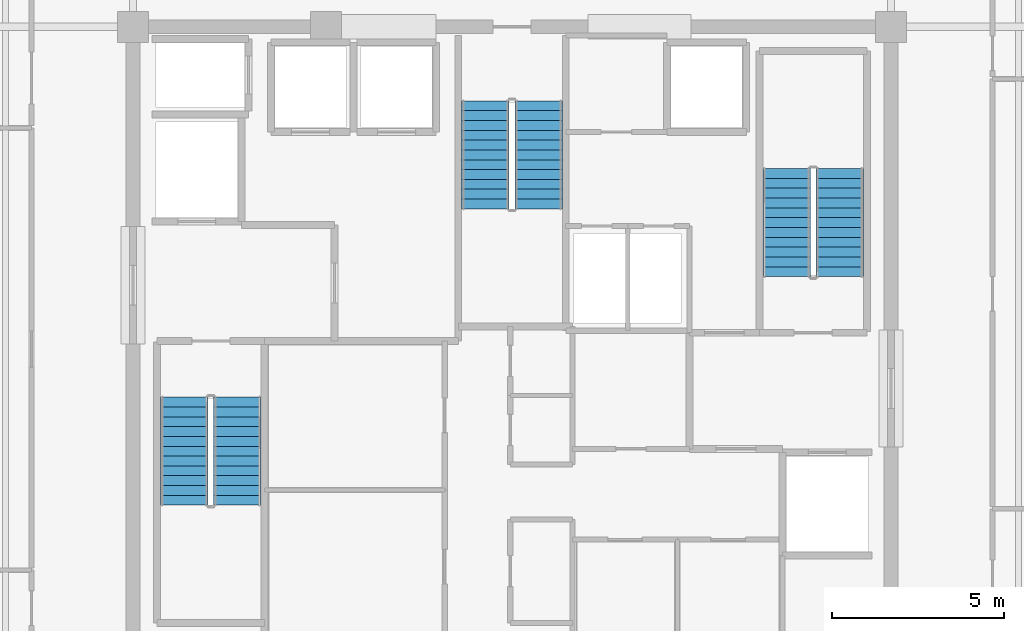
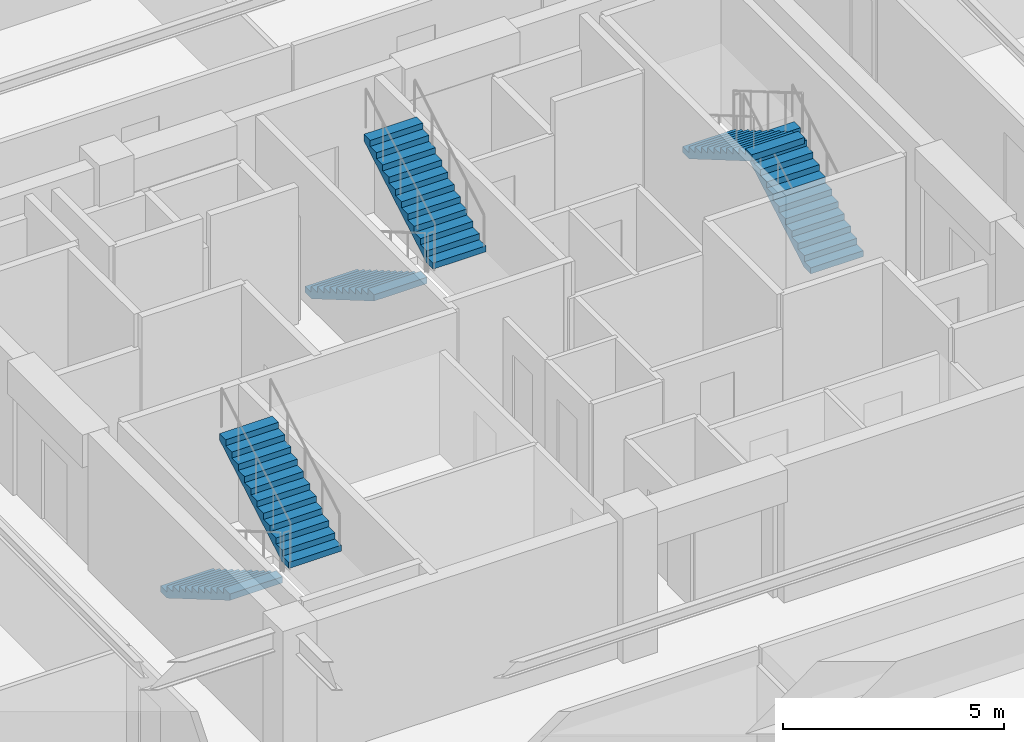
# One storey, part 17 of 21: 6 stair flights, 3 elements without a shape of their own.
"""IFC4 building model written with IfcOpenShell, lengths in metres."""

from ifc_helpers import new_model, si_unit, direction, frame, origin, place, context, subcontext, project, spatial, polyline, outline, extrude, material, type_object, element, aggregate, save


model = new_model("IFC4")

# Units and contexts
model_context = context("Model", 3, precision=1e-05, world=origin(), true_north=direction((0.0, 1.0)))
body_context = subcontext(model_context, "Body", "Model", "MODEL_VIEW")
ifc_project = project(units=[si_unit("LENGTHUNIT", "METRE"), si_unit("AREAUNIT", "SQUARE_METRE"), si_unit("VOLUMEUNIT", "CUBIC_METRE"), si_unit("PLANEANGLEUNIT", "RADIAN"), si_unit("MASSUNIT", "GRAM", prefix="KILO")], contexts=[model_context])

# Site, building, storey
site_placement = place(None, origin())
site = spatial("IfcSite", under=ifc_project, at=site_placement, CompositionType="ELEMENT")
building_placement = place(site_placement, origin())
building = spatial("IfcBuilding", under=site, at=building_placement, Name="Kovane Verandah Tower", CompositionType="ELEMENT")
storey_placement = place(building_placement, frame((0.0, 0.0, 314.800048828125)))
storey = spatial("IfcBuildingStorey", under=building, at=storey_placement, Name="L73", CompositionType="ELEMENT", Elevation=314.800048828125)

# Stair, stair flights
ifc_material = material(Name="Concrete C45/55", Category="concrete")
stair_type = type_object("IfcStairType", Name="ST-CORE-1380", PredefinedType="HALF_TURN_STAIR", material=ifc_material)
stair_1_placement = place(storey_placement, origin())
stair_1 = element("IfcStair", 1, at=stair_1_placement, inside=storey, type_object=stair_type, Name="L73 Exit Stair ST-01", PredefinedType="HALF_TURN_STAIR")
stair_flight_type = type_object("IfcStairFlightType", Name="STF-CORE-1380", PredefinedType="STRAIGHT", material=ifc_material)
stair_flight_1_placement = place(storey_placement, frame((30.489990234375, 25.75, 0.0), z_axis=(0.0, 0.0, 1.0), x_axis=(0.0, -1.0, 0.0)))
stair_flight_1 = element("IfcStairFlight", 2, at=stair_flight_1_placement, type_object=stair_flight_type, Name="ST-01 flight 1", NumberOfRisers=12, NumberOfTreads=11, PredefinedType="STRAIGHT", RiserHeight=0.166666667, TreadLength=0.285, context=body_context, shape_type="SweptSolid", body=[
    extrude(outline(polyline([(0.0, 0.0), (0.0, 0.166748046875), (0.284912109375, 0.166748046875), (0.284912109375, 0.333251953125), (0.570068359375, 0.333251953125), (0.570068359375, 0.5), (0.85498046875, 0.5), (0.85498046875, 0.666748046875), (1.139892578125, 0.666748046875), (1.139892578125, 0.833251953125), (1.425048828125, 0.833251953125), (1.425048828125, 1.0), (1.7099609375, 1.0), (1.7099609375, 1.166748046875), (1.9951171875, 1.166748046875), (1.9951171875, 1.333251953125), (2.280029296875, 1.333251953125), (2.280029296875, 1.5), (2.56494140625, 1.5), (2.56494140625, 1.666748046875), (2.85009765625, 1.666748046875), (2.85009765625, 1.833251953125), (3.135009765625, 1.833251953125), (3.135009765625, 2.0), (3.135009765625, 1.65966796875), (0.296875, 0.0), (0.0, 0.0)])), frame((0.0, 0.68994140625, 0.0), z_axis=(0.0, -1.0, 0.0), x_axis=(1.0, 0.0, 0.0)), (0.0, 0.0, 1.0), 1.3798828125),
])
stair_flight_2_placement = place(storey_placement, frame((32.030029296875, 22.614990234375, 2.0), z_axis=(0.0, 0.0, 1.0), x_axis=(0.0, 1.0, 0.0)))
stair_flight_2 = element("IfcStairFlight", 3, at=stair_flight_2_placement, type_object=stair_flight_type, Name="ST-01 flight 2", NumberOfRisers=12, NumberOfTreads=11, PredefinedType="STRAIGHT", RiserHeight=0.166666667, TreadLength=0.285, context=body_context, shape_type="SweptSolid", body=[
    extrude(outline(polyline([(0.0, 0.0), (0.0, 0.166748046875), (0.284912109375, 0.166748046875), (0.284912109375, 0.333251953125), (0.570068359375, 0.333251953125), (0.570068359375, 0.5), (0.85498046875, 0.5), (0.85498046875, 0.666748046875), (1.139892578125, 0.666748046875), (1.139892578125, 0.833251953125), (1.425048828125, 0.833251953125), (1.425048828125, 1.0), (1.7099609375, 1.0), (1.7099609375, 1.166748046875), (1.9951171875, 1.166748046875), (1.9951171875, 1.333251953125), (2.280029296875, 1.333251953125), (2.280029296875, 1.5), (2.56494140625, 1.5), (2.56494140625, 1.666748046875), (2.85009765625, 1.666748046875), (2.85009765625, 1.833251953125), (3.135009765625, 1.833251953125), (3.135009765625, 2.0), (3.135009765625, 1.65966796875), (0.296875, 0.0), (0.0, 0.0)])), frame((0.0, 0.68994140625, 0.0), z_axis=(0.0, -1.0, 0.0), x_axis=(1.0, 0.0, 0.0)), (0.0, 0.0, 1.0), 1.3798828125),
])
aggregate(stair_1, [stair_flight_1, stair_flight_2])

stair_2_placement = place(storey_placement, origin())
stair_2 = element("IfcStair", 4, at=stair_2_placement, inside=storey, type_object=stair_type, Name="L73 Exit Stair ST-02", PredefinedType="HALF_TURN_STAIR")
stair_flight_3_placement = place(storey_placement, frame((49.510009765625, 29.25, 0.0), z_axis=(0.0, 0.0, 1.0), x_axis=(0.0, 1.0, 0.0)))
stair_flight_3 = element("IfcStairFlight", 5, at=stair_flight_3_placement, type_object=stair_flight_type, Name="ST-02 flight 1", NumberOfRisers=12, NumberOfTreads=11, PredefinedType="STRAIGHT", RiserHeight=0.166666667, TreadLength=0.285, context=body_context, shape_type="SweptSolid", body=[
    extrude(outline(polyline([(0.0, 0.0), (0.0, 0.166748046875), (0.284912109375, 0.166748046875), (0.284912109375, 0.333251953125), (0.570068359375, 0.333251953125), (0.570068359375, 0.5), (0.85498046875, 0.5), (0.85498046875, 0.666748046875), (1.139892578125, 0.666748046875), (1.139892578125, 0.833251953125), (1.425048828125, 0.833251953125), (1.425048828125, 1.0), (1.7099609375, 1.0), (1.7099609375, 1.166748046875), (1.9951171875, 1.166748046875), (1.9951171875, 1.333251953125), (2.280029296875, 1.333251953125), (2.280029296875, 1.5), (2.56494140625, 1.5), (2.56494140625, 1.666748046875), (2.85009765625, 1.666748046875), (2.85009765625, 1.833251953125), (3.135009765625, 1.833251953125), (3.135009765625, 2.0), (3.135009765625, 1.65966796875), (0.296875, 0.0), (0.0, 0.0)])), frame((0.0, 0.68994140625, 0.0), z_axis=(0.0, -1.0, 0.0), x_axis=(1.0, 0.0, 0.0)), (0.0, 0.0, 1.0), 1.3798828125),
])
stair_flight_4_placement = place(storey_placement, frame((47.969970703125, 32.385009765625, 2.0), z_axis=(0.0, 0.0, 1.0), x_axis=(0.0, -1.0, 0.0)))
stair_flight_4 = element("IfcStairFlight", 6, at=stair_flight_4_placement, type_object=stair_flight_type, Name="ST-02 flight 2", NumberOfRisers=12, NumberOfTreads=11, PredefinedType="STRAIGHT", RiserHeight=0.166666667, TreadLength=0.285, context=body_context, shape_type="SweptSolid", body=[
    extrude(outline(polyline([(0.0, 0.0), (0.0, 0.166748046875), (0.284912109375, 0.166748046875), (0.284912109375, 0.333251953125), (0.570068359375, 0.333251953125), (0.570068359375, 0.5), (0.85498046875, 0.5), (0.85498046875, 0.666748046875), (1.139892578125, 0.666748046875), (1.139892578125, 0.833251953125), (1.425048828125, 0.833251953125), (1.425048828125, 1.0), (1.7099609375, 1.0), (1.7099609375, 1.166748046875), (1.9951171875, 1.166748046875), (1.9951171875, 1.333251953125), (2.280029296875, 1.333251953125), (2.280029296875, 1.5), (2.56494140625, 1.5), (2.56494140625, 1.666748046875), (2.85009765625, 1.666748046875), (2.85009765625, 1.833251953125), (3.135009765625, 1.833251953125), (3.135009765625, 2.0), (3.135009765625, 1.65966796875), (0.296875, 0.0), (0.0, 0.0)])), frame((0.0, 0.68994140625, 0.0), z_axis=(0.0, -1.0, 0.0), x_axis=(1.0, 0.0, 0.0)), (0.0, 0.0, 1.0), 1.3798828125),
])
aggregate(stair_2, [stair_flight_3, stair_flight_4])

stair_3_placement = place(storey_placement, origin())
stair_3 = element("IfcStair", 7, at=stair_3_placement, inside=storey, type_object=stair_type, Name="L73 Exit Stair ST-03", PredefinedType="HALF_TURN_STAIR")
stair_flight_5_placement = place(storey_placement, frame((39.22998046875, 34.35009765625, 0.0), z_axis=(0.0, 0.0, 1.0), x_axis=(0.0, -1.0, 0.0)))
stair_flight_5 = element("IfcStairFlight", 8, at=stair_flight_5_placement, type_object=stair_flight_type, Name="ST-03 flight 1", NumberOfRisers=12, NumberOfTreads=11, PredefinedType="STRAIGHT", RiserHeight=0.166666667, TreadLength=0.285, context=body_context, shape_type="SweptSolid", body=[
    extrude(outline(polyline([(0.0, 0.0), (0.0, 0.166748046875), (0.284912109375, 0.166748046875), (0.284912109375, 0.333251953125), (0.570068359375, 0.333251953125), (0.570068359375, 0.5), (0.85498046875, 0.5), (0.85498046875, 0.666748046875), (1.139892578125, 0.666748046875), (1.139892578125, 0.833251953125), (1.425048828125, 0.833251953125), (1.425048828125, 1.0), (1.7099609375, 1.0), (1.7099609375, 1.166748046875), (1.9951171875, 1.166748046875), (1.9951171875, 1.333251953125), (2.280029296875, 1.333251953125), (2.280029296875, 1.5), (2.56494140625, 1.5), (2.56494140625, 1.666748046875), (2.85009765625, 1.666748046875), (2.85009765625, 1.833251953125), (3.135009765625, 1.833251953125), (3.135009765625, 2.0), (3.135009765625, 1.65966796875), (0.296875, 0.0), (0.0, 0.0)])), frame((0.0, 0.68994140625, 0.0), z_axis=(0.0, -1.0, 0.0), x_axis=(1.0, 0.0, 0.0)), (0.0, 0.0, 1.0), 1.3798828125),
])
stair_flight_6_placement = place(storey_placement, frame((40.77001953125, 31.215087890625, 2.0), z_axis=(0.0, 0.0, 1.0), x_axis=(0.0, 1.0, 0.0)))
stair_flight_6 = element("IfcStairFlight", 9, at=stair_flight_6_placement, type_object=stair_flight_type, Name="ST-03 flight 2", NumberOfRisers=12, NumberOfTreads=11, PredefinedType="STRAIGHT", RiserHeight=0.166666667, TreadLength=0.285, context=body_context, shape_type="SweptSolid", body=[
    extrude(outline(polyline([(0.0, 0.0), (0.0, 0.166748046875), (0.284912109375, 0.166748046875), (0.284912109375, 0.333251953125), (0.570068359375, 0.333251953125), (0.570068359375, 0.5), (0.85498046875, 0.5), (0.85498046875, 0.666748046875), (1.139892578125, 0.666748046875), (1.139892578125, 0.833251953125), (1.425048828125, 0.833251953125), (1.425048828125, 1.0), (1.7099609375, 1.0), (1.7099609375, 1.166748046875), (1.9951171875, 1.166748046875), (1.9951171875, 1.333251953125), (2.280029296875, 1.333251953125), (2.280029296875, 1.5), (2.56494140625, 1.5), (2.56494140625, 1.666748046875), (2.85009765625, 1.666748046875), (2.85009765625, 1.833251953125), (3.135009765625, 1.833251953125), (3.135009765625, 2.0), (3.135009765625, 1.65966796875), (0.296875, 0.0), (0.0, 0.0)])), frame((0.0, 0.68994140625, 0.0), z_axis=(0.0, -1.0, 0.0), x_axis=(1.0, 0.0, 0.0)), (0.0, 0.0, 1.0), 1.3798828125),
])
aggregate(stair_3, [stair_flight_5, stair_flight_6])

save(model, "model.ifc")
